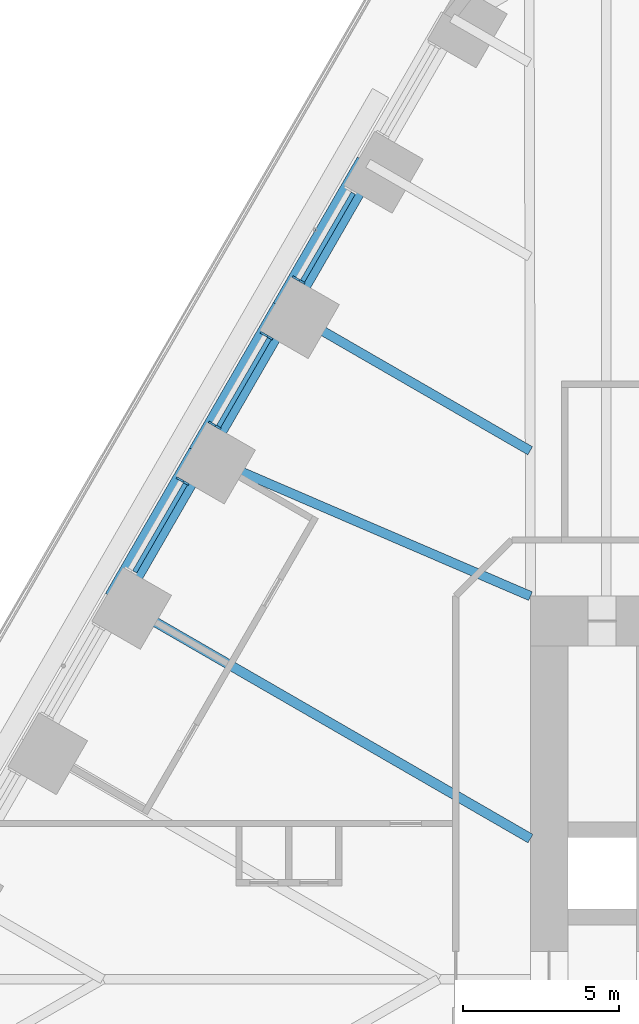
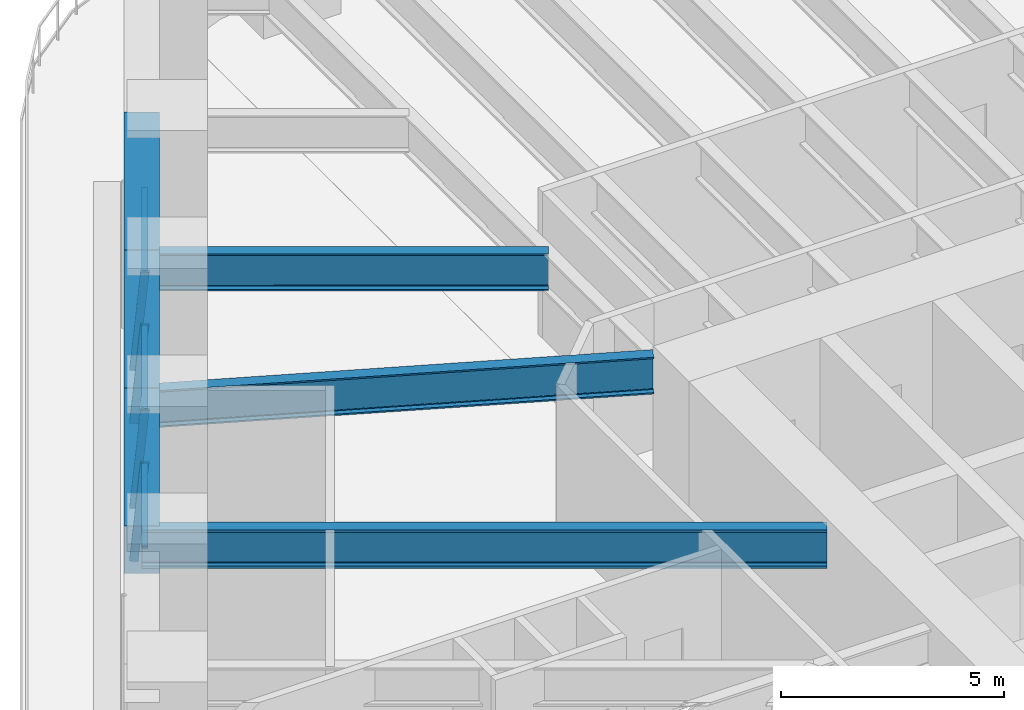
# One storey, part 8 of 23: 7 members, 6 beams, 3 elements without a shape of their own.
"""IFC4 building model written with IfcOpenShell, lengths in metres."""

from ifc_helpers import new_model, si_unit, direction, frame, origin, origin_2d, place, context, subcontext, project, spatial, rectangle, i_section, extrude, material, material_profile, profile_set, type_object, element, aggregate, save


model = new_model("IFC4")

# Units and contexts
model_context = context("Model", 3, precision=1e-05, world=origin(), true_north=direction((0.0, 1.0)))
body_context = subcontext(model_context, "Body", "Model", "MODEL_VIEW")
ifc_project = project(units=[si_unit("LENGTHUNIT", "METRE"), si_unit("AREAUNIT", "SQUARE_METRE"), si_unit("VOLUMEUNIT", "CUBIC_METRE"), si_unit("PLANEANGLEUNIT", "RADIAN"), si_unit("MASSUNIT", "GRAM", prefix="KILO")], contexts=[model_context])

# Site, building, storey
site_placement = place(None, origin())
site = spatial("IfcSite", under=ifc_project, at=site_placement, CompositionType="ELEMENT")
building_placement = place(site_placement, origin())
building = spatial("IfcBuilding", under=site, at=building_placement, Name="Tarfa Lantern Tower", CompositionType="ELEMENT")
storey_placement = place(building_placement, frame((0.0, 0.0, 44.5)))
storey = spatial("IfcBuildingStorey", under=building, at=storey_placement, Name="L09", CompositionType="ELEMENT", Elevation=44.5)

# Curtain wall, member
ifc_material_1 = material(Name="Aluminium framed curtain wall", Category="aluminium")
curtain_wall_type = type_object("IfcCurtainWallType", Name="CW1 CANTED GLAZING LOW ZONE 2700", PredefinedType="USERDEFINED", material=ifc_material_1)
curtain_wall_1_placement = place(storey_placement, origin())
curtain_wall_1 = element("IfcCurtainWall", 1, at=curtain_wall_1_placement, inside=storey, type_object=curtain_wall_type, Name="CW1 NW L09", ObjectType="CURTAIN WALL", PredefinedType="USERDEFINED")
ifc_material_2 = material(Name="Aluminium mullion", Category="aluminium")
ifc_material_profile_1 = material_profile(ifc_material_2, rectangle(XDim=0.06494140625, YDim=0.199951171875, at=origin_2d()), Name="AL MULLION 65x200")
ifc_profile_set_1 = profile_set([ifc_material_profile_1], Name="Aluminium mullion")
member_type_1 = type_object("IfcMemberType", Name="CWM1 MULLION 65x200", PredefinedType="MULLION", material=ifc_profile_set_1)
member_1_placement = place(storey_placement, frame((-26.147705078125, 22.5107421875, 0.0), z_axis=(0.07986442134, -0.046099868913, 0.99573916077), x_axis=(0.499919672301, 0.866071776036, 0.0)))
member_1 = element("IfcMember", 2, at=member_1_placement, type_object=member_type_1, Name="CW1 mullion 2", PredefinedType="MULLION", context=body_context, shape_type="SweptSolid", body=[
    extrude(rectangle(XDim=0.06494140625, YDim=0.199951171875, at=origin_2d()), origin(), (0.0, 0.0, 1.0), 2.71142578125),
])

# Curtain wall, members
curtain_wall_2_placement = place(storey_placement, origin())
curtain_wall_2 = element("IfcCurtainWall", 3, at=curtain_wall_2_placement, inside=storey, type_object=curtain_wall_type, Name="CW1 NW L09", ObjectType="CURTAIN WALL", PredefinedType="USERDEFINED")
member_2_placement = place(storey_placement, frame((-27.18017578125, 20.722412109375, 0.0), z_axis=(0.07986442134, -0.046099868913, 0.99573916077), x_axis=(0.499919672301, 0.866071776036, 0.0)))
member_2 = element("IfcMember", 4, at=member_2_placement, type_object=member_type_1, Name="CW1 mullion 1", PredefinedType="MULLION", context=body_context, shape_type="SweptSolid", body=[
    extrude(rectangle(XDim=0.06494140625, YDim=0.199951171875, at=origin_2d()), origin(), (0.0, 0.0, 1.0), 2.71142578125),
])
member_3_placement = place(storey_placement, frame((-28.842041015625, 17.84423828125, 0.0), z_axis=(0.07986442134, -0.046099868913, 0.99573916077), x_axis=(0.499919672301, 0.866071776036, 0.0)))
member_3 = element("IfcMember", 5, at=member_3_placement, type_object=member_type_1, Name="CW1 mullion 2", PredefinedType="MULLION", context=body_context, shape_type="SweptSolid", body=[
    extrude(rectangle(XDim=0.06494140625, YDim=0.199951171875, at=origin_2d()), origin(), (0.0, 0.0, 1.0), 2.71142578125),
])

# Curtain wall, member
curtain_wall_3_placement = place(storey_placement, origin())
curtain_wall_3 = element("IfcCurtainWall", 6, at=curtain_wall_3_placement, inside=storey, type_object=curtain_wall_type, Name="CW1 NW L09", ObjectType="CURTAIN WALL", PredefinedType="USERDEFINED")
member_4_placement = place(storey_placement, frame((-29.87451171875, 16.055908203125, 0.0), z_axis=(0.07986442134, -0.046099868913, 0.99573916077), x_axis=(0.499919672301, 0.866071776036, 0.0)))
member_4 = element("IfcMember", 7, at=member_4_placement, type_object=member_type_1, Name="CW1 mullion 1", PredefinedType="MULLION", context=body_context, shape_type="SweptSolid", body=[
    extrude(rectangle(XDim=0.06494140625, YDim=0.199951171875, at=origin_2d()), origin(), (0.0, 0.0, 1.0), 2.71142578125),
])

# Member
ifc_material_3 = material(Name="Aluminium transom", Category="aluminium")
ifc_material_profile_2 = material_profile(ifc_material_3, rectangle(XDim=0.14990234375, YDim=0.06494140625, at=origin_2d()), Name="AL TRANSOM 150x65")
ifc_profile_set_2 = profile_set([ifc_material_profile_2], Name="Aluminium transom")
member_type_2 = type_object("IfcMemberType", Name="CWT1 TRANSOM 150x65", PredefinedType="USERDEFINED", material=ifc_profile_set_2)
member_5_placement = place(storey_placement, frame((-24.288330078125, 25.237548828125, 2.66748046875), z_axis=(-0.499966746847, -0.86604460165, 0.0), x_axis=(0.86604460165, -0.499966746847, 0.0)))
member_5 = element("IfcMember", 8, at=member_5_placement, type_object=member_type_2, Name="CW1 transom 1.2", ObjectType="TRANSOM", PredefinedType="USERDEFINED", context=body_context, shape_type="SweptSolid", body=[
    extrude(rectangle(XDim=0.14990234375, YDim=0.06494140625, at=origin_2d()), origin(), (0.0, 0.0, 1.0), 3.258544921875),
])

aggregate(curtain_wall_1, [member_1, member_5])

member_6_placement = place(storey_placement, frame((-26.982666015625, 20.57080078125, 2.66748046875), z_axis=(-0.499966746847, -0.86604460165, 0.0), x_axis=(0.86604460165, -0.499966746847, 0.0)))
member_6 = element("IfcMember", 9, at=member_6_placement, type_object=member_type_2, Name="CW1 transom 1.2", ObjectType="TRANSOM", PredefinedType="USERDEFINED", context=body_context, shape_type="SweptSolid", body=[
    extrude(rectangle(XDim=0.14990234375, YDim=0.06494140625, at=origin_2d()), origin(), (0.0, 0.0, 1.0), 3.258544921875),
])

aggregate(curtain_wall_2, [member_2, member_3, member_6])

member_7_placement = place(storey_placement, frame((-29.6767578125, 15.904296875, 2.66748046875), z_axis=(-0.500022939057, -0.866012159509, 0.0), x_axis=(0.866012159509, -0.500022939057, 0.0)))
member_7 = element("IfcMember", 10, at=member_7_placement, type_object=member_type_2, Name="CW1 transom 1.2", ObjectType="TRANSOM", PredefinedType="USERDEFINED", context=body_context, shape_type="SweptSolid", body=[
    extrude(rectangle(XDim=0.14990234375, YDim=0.06494140625, at=origin_2d()), origin(), (0.0, 0.0, 1.0), 3.258544921875),
])

aggregate(curtain_wall_3, [member_4, member_7])

# Beams
ifc_material_4 = material(Name="Concrete C80/95", Category="concrete")
ifc_material_profile_3 = material_profile(ifc_material_4, rectangle(XDim=0.800048828125, YDim=1.300048828125, at=origin_2d()), Name="RC 800x1300")
ifc_profile_set_3 = profile_set([ifc_material_profile_3], Name="Concrete C80/95")
beam_type_1 = type_object("IfcBeamType", Name="EB1 RC 800x1300", PredefinedType="SPANDREL", material=ifc_profile_set_3)
beam_1_placement = place(storey_placement, frame((-23.813720703125, 26.193359375, 3.35009765625), z_axis=(-0.499998287579, -0.866026392449, 0.0), x_axis=(0.866026392449, -0.499998287579, 0.0)))
element("IfcBeam", 11, at=beam_1_placement, inside=storey, type_object=beam_type_1, Name="Edge beam NW1", PredefinedType="SPANDREL", context=body_context, shape_type="SweptSolid", body=[
    extrude(rectangle(XDim=0.800048828125, YDim=1.300048828125, at=origin_2d()), origin(), (0.0, 0.0, 1.0), 5.388671875),
])
beam_2_placement = place(storey_placement, frame((-26.508056640625, 21.526611328125, 3.35009765625), z_axis=(-0.500017906299, -0.866015065331, 0.0), x_axis=(0.866015065331, -0.500017906299, 0.0)))
element("IfcBeam", 12, at=beam_2_placement, inside=storey, type_object=beam_type_1, Name="Edge beam NW2", PredefinedType="SPANDREL", context=body_context, shape_type="SweptSolid", body=[
    extrude(rectangle(XDim=0.800048828125, YDim=1.300048828125, at=origin_2d()), origin(), (0.0, 0.0, 1.0), 5.388427734375),
])
beam_3_placement = place(storey_placement, frame((-29.202392578125, 16.860107421875, 3.35009765625), z_axis=(-0.499998287579, -0.866026392449, 0.0), x_axis=(0.866026392449, -0.499998287579, 0.0)))
element("IfcBeam", 13, at=beam_3_placement, inside=storey, type_object=beam_type_1, Name="Edge beam NW3", PredefinedType="SPANDREL", context=body_context, shape_type="SweptSolid", body=[
    extrude(rectangle(XDim=0.800048828125, YDim=1.300048828125, at=origin_2d()), origin(), (0.0, 0.0, 1.0), 5.388671875),
])
ifc_material_5 = material(Name="Steel S460M", Category="steel")
ifc_material_profile_4 = material_profile(ifc_material_5, i_section(OverallWidth=0.302001953125, OverallDepth=1.008056640625, WebThickness=0.02099609375, FlangeThickness=0.0400390625, FilletRadius=0.030029296875, at=origin_2d()), Name="UB1016x305x349")
ifc_profile_set_4 = profile_set([ifc_material_profile_4], Name="Steel S460M")
beam_type_2 = type_object("IfcBeamType", Name="UB1016x305x349", PredefinedType="BEAM", material=ifc_profile_set_4)
beam_4_placement = place(storey_placement, frame((-26.508056640625, 21.526611328125, 3.495849609375), z_axis=(0.866035355799, -0.49998276221, 0.0), x_axis=(0.49998276221, 0.866035355799, 0.0)))
element("IfcBeam", 14, at=beam_4_placement, inside=storey, type_object=beam_type_2, Name="Floor beam NW2", PredefinedType="BEAM", context=body_context, shape_type="SweptSolid", body=[
    extrude(i_section(OverallWidth=0.302001953125, OverallDepth=1.008056640625, WebThickness=0.02099609375, FlangeThickness=0.0400390625, FilletRadius=0.030029296875, at=origin_2d()), origin(), (0.0, 0.0, 1.0), 9.119873046875),
])
beam_5_placement = place(storey_placement, frame((-29.202392578125, 16.860107421875, 3.495849609375), z_axis=(0.918635483867, -0.395106122175, 0.0), x_axis=(0.395106122175, 0.918635483867, 0.0)))
element("IfcBeam", 15, at=beam_5_placement, inside=storey, type_object=beam_type_2, Name="Floor beam NW3", PredefinedType="BEAM", context=body_context, shape_type="SweptSolid", body=[
    extrude(i_section(OverallWidth=0.302001953125, OverallDepth=1.008056640625, WebThickness=0.02099609375, FlangeThickness=0.0400390625, FilletRadius=0.030029296875, at=origin_2d()), origin(), (0.0, 0.0, 1.0), 11.541259765625),
])
ifc_material_profile_5 = material_profile(ifc_material_5, i_section(OverallWidth=0.314208984375, OverallDepth=1.055908203125, WebThickness=0.035888671875, FlangeThickness=0.06396484375, FilletRadius=0.030029296875, at=origin_2d()), Name="UB1016x305x584")
ifc_profile_set_5 = profile_set([ifc_material_profile_5], Name="Steel S460M")
beam_type_3 = type_object("IfcBeamType", Name="UB1016x305x584", PredefinedType="BEAM", material=ifc_profile_set_5)
beam_6_placement = place(storey_placement, frame((-31.896728515625, 12.193359375, 3.471923828125), z_axis=(0.866026971665, -0.499997284341, 0.0), x_axis=(0.499997284341, 0.866026971665, 0.0)))
element("IfcBeam", 16, at=beam_6_placement, inside=storey, type_object=beam_type_3, Name="Floor beam NW4", PredefinedType="BEAM", context=body_context, shape_type="SweptSolid", body=[
    extrude(i_section(OverallWidth=0.314208984375, OverallDepth=1.055908203125, WebThickness=0.035888671875, FlangeThickness=0.06396484375, FilletRadius=0.030029296875, at=origin_2d()), origin(), (0.0, 0.0, 1.0), 15.353515625),
])

save(model, "model.ifc")
